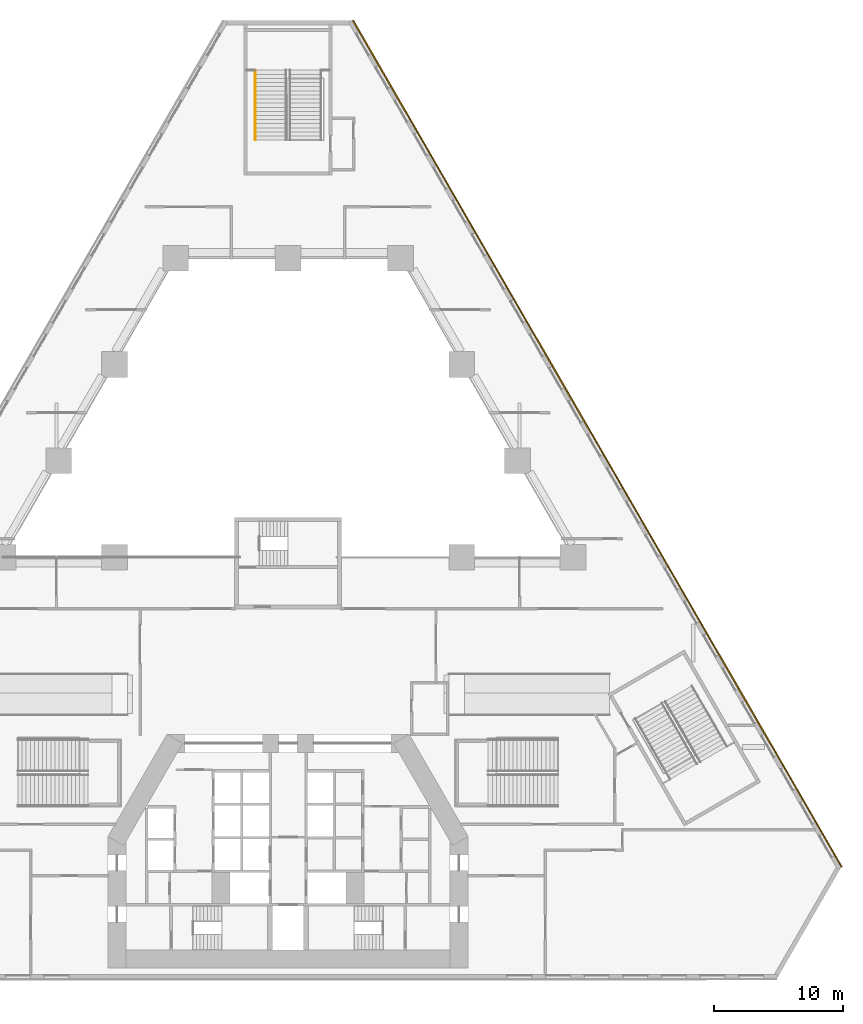
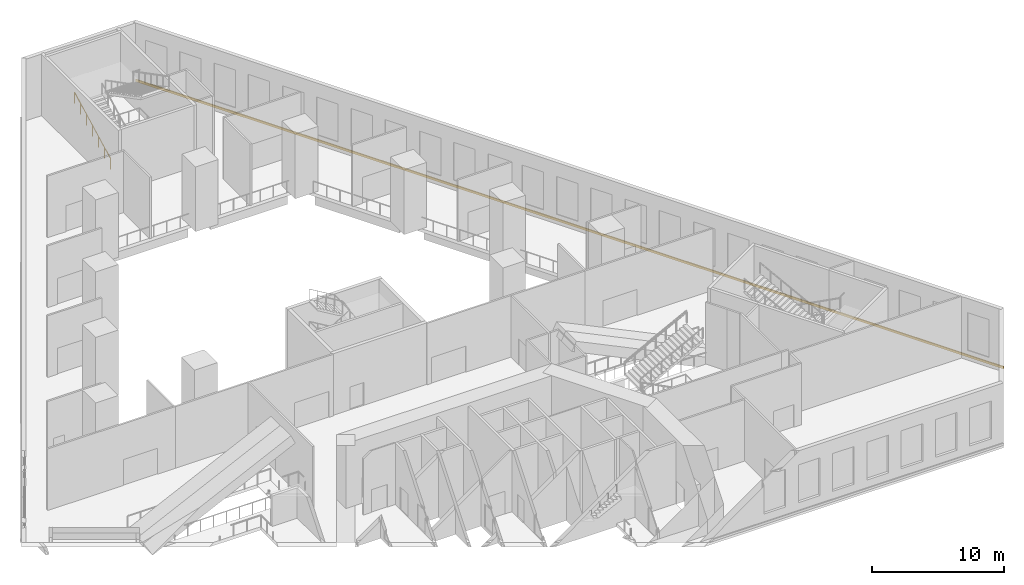
# One storey, part 14 of 16: 1 covering, 1 railing.
"""IFC4 building model written with IfcOpenShell, lengths in metres."""

import ifcopenshell
import ifcopenshell.guid

model = None  # the IFC model being written
_history = None  # IfcOwnerHistory: only IFC2X3 demands one
_inside = {}  # id of a spatial element -> (the spatial element, [elements in it])
_under = {}  # id of a project, library or spatial element -> (it, [spatial elements below it])
_declared = {}  # id of a project -> (the project, [libraries it declares])
_typed = {}  # id of a type object -> (the type object, [elements of that type])
_made_of = {}  # id of a material, layer set ... -> (it, [elements and type objects made of it])


def new_model(schema):
    """Start an empty IFC model of exactly this schema.

    Asked for "IFC4X3", IfcOpenShell would pick the latest addendum, in which some entities
    have other attributes; the version numbers below select the first issue.
    IFC2X3 requires an IfcOwnerHistory on every rooted entity: one is made here for all.
    """
    global model, _history
    if schema == "IFC4X3":
        model = ifcopenshell.file(schema_version=(4, 3, 0, 0))
    else:
        model = ifcopenshell.file(schema=schema)
    _inside.clear()
    _under.clear()
    _declared.clear()
    _typed.clear()
    _made_of.clear()
    _history = None
    if model.schema == "IFC2X3":
        org = make("IfcOrganization", Name="unknown")
        user = make(
            "IfcPersonAndOrganization",
            ThePerson=make("IfcPerson", FamilyName="unknown"),
            TheOrganization=org,
        )
        app = make(
            "IfcApplication",
            ApplicationDeveloper=org,
            Version="unknown",
            ApplicationFullName="unknown",
            ApplicationIdentifier="unknown",
        )
        _history = make(
            "IfcOwnerHistory",
            OwningUser=user,
            OwningApplication=app,
            ChangeAction="ADDED",
            CreationDate=0,
        )
    return model


def make(cls, **values):
    """One entity of the class cls with the attributes given. An attribute that is None is left unset."""
    return model.create_entity(
        cls, **{name: value for name, value in values.items() if value is not None}
    )


def rooted(cls, **values):
    """An entity with a GlobalId (a new one), such as an element, a storey or a relation."""
    return make(cls, GlobalId=ifcopenshell.guid.new(), OwnerHistory=_history, **values)


def si_unit(unit_type, name, prefix=None):
    """IfcSIUnit, for example si_unit("LENGTHUNIT", "METRE", prefix="MILLI")."""
    return make("IfcSIUnit", UnitType=unit_type, Prefix=prefix, Name=name)


def assignment(units):
    """IfcUnitAssignment: the units of a project."""
    return None if units is None else make("IfcUnitAssignment", Units=units)


def point(xyz):
    """IfcCartesianPoint."""
    return None if xyz is None else make("IfcCartesianPoint", Coordinates=xyz)


def direction(xyz):
    """IfcDirection."""
    return None if xyz is None else make("IfcDirection", DirectionRatios=xyz)


def frame(location, z_axis=None, x_axis=None):
    """IfcAxis2Placement3D, a coordinate frame: its origin and axes. An axis left out is left unset."""
    return make(
        "IfcAxis2Placement3D",
        Location=point(location),
        Axis=direction(z_axis),
        RefDirection=direction(x_axis),
    )


def frame_2d(location, x_axis=None):
    """IfcAxis2Placement2D, a coordinate frame in the plane: its origin and x axis."""
    return make(
        "IfcAxis2Placement2D", Location=point(location), RefDirection=direction(x_axis)
    )


def origin():
    """The frame at (0, 0, 0) with its axes left unset."""
    return frame((0.0, 0.0, 0.0))


def origin_2d():
    """The frame at (0, 0) in the plane with its x axis left unset."""
    return frame_2d((0.0, 0.0))


def place(relative_to, where):
    """IfcLocalPlacement: puts the frame where relative to a parent placement (None: the world)."""
    return make(
        "IfcLocalPlacement", PlacementRelTo=relative_to, RelativePlacement=where
    )


def context(
    kind, dimensions, precision=None, world=None, true_north=None, identifier=None
):
    """IfcGeometricRepresentationContext, for example the 3D "Model" context."""
    return make(
        "IfcGeometricRepresentationContext",
        ContextIdentifier=identifier,
        ContextType=kind,
        CoordinateSpaceDimension=dimensions,
        Precision=precision,
        WorldCoordinateSystem=world,
        TrueNorth=true_north,
    )


def subcontext(parent, identifier, kind, view, scale=None):
    """IfcGeometricRepresentationSubContext, for example "Body" below "Model"."""
    return make(
        "IfcGeometricRepresentationSubContext",
        ContextIdentifier=identifier,
        ContextType=kind,
        ParentContext=parent,
        TargetScale=scale,
        TargetView=view,
    )


def project(units=None, contexts=None):
    """IfcProject with its units and contexts."""
    return rooted(
        "IfcProject",
        Name="project",
        RepresentationContexts=contexts,
        UnitsInContext=assignment(units),
    )


def spatial(cls, under=None, at=None, **own):
    """A site, building, storey or space (cls), placed at a placement, below another one or the project."""
    s = rooted(cls, ObjectPlacement=at, **own)
    if under is not None:
        _under.setdefault(under.id(), (under, []))[1].append(s)
    return s


def polyline(points):
    """IfcPolyline through the points."""
    return make("IfcPolyline", Points=[point(p) for p in points])


def profile(cls, at=None, kind="AREA", **sizes):
    """A parametric profile (cls). Its sizes go by their IFC names, for example OverallWidth=200.0."""
    return make(cls, ProfileType=kind, Position=at, **sizes)


def circle(**sizes):
    """IfcCircleProfileDef."""
    return profile("IfcCircleProfileDef", **sizes)


def outline(outer, holes=None, kind="AREA"):
    """IfcArbitraryClosedProfileDef: a profile drawn as a closed curve; with holes, ...WithVoids."""
    if holes is None:
        return make("IfcArbitraryClosedProfileDef", ProfileType=kind, OuterCurve=outer)
    return make(
        "IfcArbitraryProfileDefWithVoids",
        ProfileType=kind,
        OuterCurve=outer,
        InnerCurves=holes,
    )


def extrude(swept, where, along, depth):
    """IfcExtrudedAreaSolid: the profile swept, set in the frame where, extruded along a direction by depth."""
    return make(
        "IfcExtrudedAreaSolid",
        SweptArea=swept,
        Position=where,
        ExtrudedDirection=direction(along),
        Depth=depth,
    )


def shape(context_of_items, identifier, shape_type, items):
    """IfcShapeRepresentation: the items that make up one representation, for example the "Body"."""
    return make(
        "IfcShapeRepresentation",
        ContextOfItems=context_of_items,
        RepresentationIdentifier=identifier,
        RepresentationType=shape_type,
        Items=items,
    )


def material(Name=None, Category=None):
    """IfcMaterial."""
    return make("IfcMaterial", Name=Name, Category=Category)


def made_of(thing, what):
    """Note that an element or type object is made of a material, layer set ...; save() writes the relation."""
    if what is not None:
        _made_of.setdefault(what.id(), (what, []))[1].append(thing)
    return thing


def type_object(cls, material=None, **own):
    """A type object (cls), such as IfcWallType, which elements share."""
    return made_of(rooted(cls, **own), material)


def element(
    cls,
    number,
    at=None,
    inside=None,
    cuts=None,
    type_object=None,
    material=None,
    context=None,
    identifier="Body",
    shape_type=None,
    held_by="IfcProductDefinitionShape",
    body=None,
    shapes=None,
    **own,
):
    """One element of the class cls, such as IfcWall. Its Tag is "e" and its number.

    at: its placement. inside: the storey or other place that contains it. cuts: it is an
    opening in that element (IfcRelVoidsElement). A single representation is given by context,
    identifier, shape_type and body (its items); several are given by shapes. held_by: the class
    of the entity that holds the representations. save() writes the other relations.
    """
    e = rooted(cls, Tag="e%d" % number, ObjectPlacement=at, **own)
    if body is not None:
        shapes = [shape(context, identifier, shape_type, body)]
    if shapes is not None:
        e.Representation = make(held_by, Representations=shapes)
    if inside is not None:
        _inside.setdefault(inside.id(), (inside, []))[1].append(e)
    if cuts is not None:
        rooted(
            "IfcRelVoidsElement", RelatingBuildingElement=cuts, RelatedOpeningElement=e
        )
    if type_object is not None:
        _typed.setdefault(type_object.id(), (type_object, []))[1].append(e)
    return made_of(e, material)


def aggregate(whole, parts):
    """IfcRelAggregates: a whole, such as a stair, and the parts it consists of."""
    return rooted("IfcRelAggregates", RelatingObject=whole, RelatedObjects=parts)


def save(model, path):
    """Write the relations noted so far, then the file.

    IfcRelAggregates (storeys below a building ...), IfcRelContainedInSpatialStructure (elements
    in a storey), IfcRelDefinesByType, IfcRelAssociatesMaterial and IfcRelDeclares: one each for
    every whole, place, type object, material and project.
    """
    for whole, parts in _under.values():
        aggregate(whole, parts)
    for where, things in _inside.values():
        rooted(
            "IfcRelContainedInSpatialStructure",
            RelatedElements=things,
            RelatingStructure=where,
        )
    for kind, things in _typed.values():
        rooted("IfcRelDefinesByType", RelatedObjects=things, RelatingType=kind)
    for what, things in _made_of.values():
        rooted("IfcRelAssociatesMaterial", RelatedObjects=things, RelatingMaterial=what)
    for by, libraries in _declared.values():
        rooted("IfcRelDeclares", RelatingContext=by, RelatedDefinitions=libraries)
    model.write(path)


model = new_model("IFC4")

# Units and contexts
model_context = context("Model", 3, precision=1e-05, world=origin(), true_north=direction((0.0, 1.0)))
body_context = subcontext(model_context, "Body", "Model", "MODEL_VIEW")
ifc_project = project(units=[si_unit("LENGTHUNIT", "METRE"), si_unit("AREAUNIT", "SQUARE_METRE"), si_unit("VOLUMEUNIT", "CUBIC_METRE"), si_unit("PLANEANGLEUNIT", "RADIAN"), si_unit("MASSUNIT", "GRAM", prefix="KILO")], contexts=[model_context])

# Site, building, storey
site_placement = place(None, origin())
site = spatial("IfcSite", under=ifc_project, at=site_placement, CompositionType="ELEMENT")
building_placement = place(site_placement, origin())
building = spatial("IfcBuilding", under=site, at=building_placement, Name="Fogline Exchange Tower", CompositionType="ELEMENT")
storey_placement = place(building_placement, frame((0.0, 0.0, 14.0)))
storey = spatial("IfcBuildingStorey", under=building, at=storey_placement, Name="L02", CompositionType="ELEMENT", Elevation=14.0)

# Railing
ifc_material_1 = material(Name="Steel Q235B", Category="steel")
railing_type = type_object("IfcRailingType", Name="PH1", PredefinedType="HANDRAIL", material=ifc_material_1)
railing_placement = place(storey_placement, frame((-2.550048828125, 65.18505859375, 0.166748046875)))
element("IfcRailing", 1, at=railing_placement, inside=storey, type_object=railing_type, Name="Handrail ST6", PredefinedType="HANDRAIL", context=body_context, shape_type="SweptSolid", body=[
    extrude(circle(Radius=0.02392578125, at=origin_2d()), frame((0.0, 0.0, 0.97607421875), z_axis=(0.0, 0.886917481566, 0.461927895771), x_axis=(-1.0, 0.0, 0.0)), (0.0, 0.0, 1.0), 6.133544921875),
    extrude(circle(Radius=0.02099609375, at=origin_2d()), origin(), (0.0, 0.0, 1.0), 0.951904296875),
    extrude(circle(Radius=0.02099609375, at=origin_2d()), frame((0.0, 0.90673828125, 0.47216796875)), (0.0, 0.0, 1.0), 0.951904296875),
    extrude(circle(Radius=0.02099609375, at=origin_2d()), frame((0.0, 1.813232421875, 0.9443359375)), (0.0, 0.0, 1.0), 0.951904296875),
    extrude(circle(Radius=0.02099609375, at=origin_2d()), frame((0.0, 2.719970703125, 1.41650390625)), (0.0, 0.0, 1.0), 0.951904296875),
    extrude(circle(Radius=0.02099609375, at=origin_2d()), frame((0.0, 3.626708984375, 1.888916015625)), (0.0, 0.0, 1.0), 0.951904296875),
    extrude(circle(Radius=0.02099609375, at=origin_2d()), frame((0.0, 4.533203125, 2.361083984375)), (0.0, 0.0, 1.0), 0.951904296875),
    extrude(circle(Radius=0.02099609375, at=origin_2d()), frame((0.0, 5.43994140625, 2.833251953125)), (0.0, 0.0, 1.0), 0.951904296875),
])

# Covering
ifc_material_2 = material(Name="Brick masonry", Category="masonry")
covering_type = type_object("IfcCoveringType", Name="SB1", PredefinedType="CLADDING", material=ifc_material_2)
covering_placement = place(storey_placement, origin())
element("IfcCovering", 2, at=covering_placement, inside=storey, type_object=covering_type, Name="Stringcourse band L02 E", PredefinedType="CLADDING", context=body_context, shape_type="SweptSolid", body=[
    extrude(outline(polyline([(43.0, 8.660400390625), (43.086669921875, 8.710205078125), (5.086669921875, 74.5283203125), (5.0, 74.478271484375), (43.0, 8.660400390625)])), origin(), (0.0, 0.0, 1.0), 0.199951171875),
])

save(model, "model.ifc")
